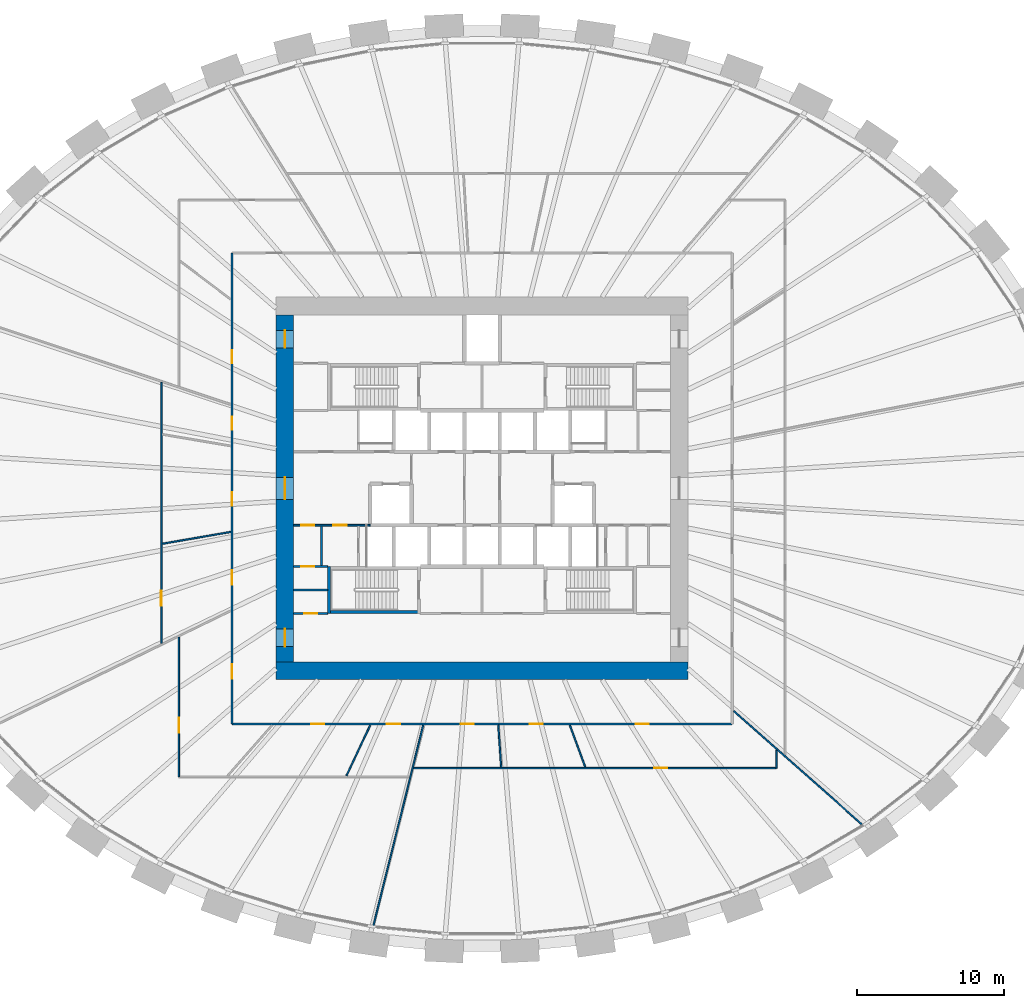
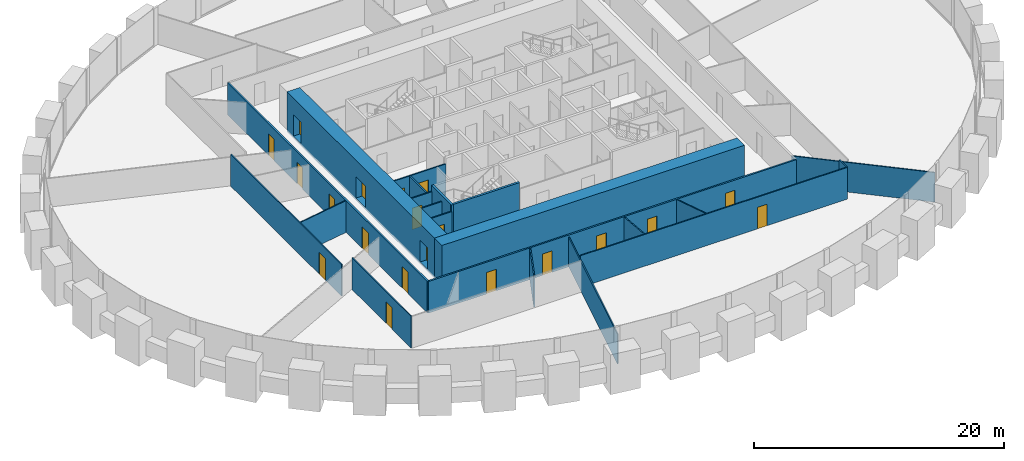
# One storey, part 6 of 11: 21 walls, 20 doors, 20 openings.
"""IFC4 building model written with IfcOpenShell, lengths in metres."""

from ifc_helpers import new_model, si_unit, direction, frame, frame_2d, origin, place, context, subcontext, project, spatial, rectangle, extrude, source, transform, mapped, material, layer, layer_set, type_object, element, fill, save


model = new_model("IFC4")

# Units and contexts
model_context = context("Model", 3, precision=1e-05, world=origin(), true_north=direction((0.0, 1.0)))
body_context = subcontext(model_context, "Body", "Model", "MODEL_VIEW")
ifc_project = project(units=[si_unit("LENGTHUNIT", "METRE"), si_unit("AREAUNIT", "SQUARE_METRE"), si_unit("VOLUMEUNIT", "CUBIC_METRE"), si_unit("PLANEANGLEUNIT", "RADIAN"), si_unit("MASSUNIT", "GRAM", prefix="KILO")], contexts=[model_context])

# Site, building, storey
site_placement = place(None, origin())
site = spatial("IfcSite", under=ifc_project, at=site_placement, CompositionType="ELEMENT")
building_placement = place(site_placement, origin())
building = spatial("IfcBuilding", under=site, at=building_placement, Name="Embergate Tower", CompositionType="ELEMENT")
storey_placement = place(building_placement, frame((0.0, 0.0, 62.0)))
storey = spatial("IfcBuildingStorey", under=building, at=storey_placement, Name="L11", CompositionType="ELEMENT", Elevation=62.0)

# Wall
ifc_material_1 = material(Name="Concrete C80", Category="concrete")
ifc_layer_1 = layer(ifc_material_1, 1.199951171875)
ifc_layer_set_1 = layer_set([ifc_layer_1], Name="Concrete C80")
wall_type_1 = type_object("IfcWallType", Name="Core outer wall C80 1200", PredefinedType="SHEAR", material=ifc_layer_set_1)
shared_shape_1 = source(origin(), body_context, "Body", "SweptSolid", [
    extrude(rectangle(XDim=28.0, YDim=1.199951171875, at=frame_2d((14.0, 0.0))), origin(), (0.0, 0.0, 1.0), 3.89990234375),
])
wall_1_placement = place(storey_placement, frame((-14.0, -12.39990234375, -0.199951171875), z_axis=(0.0, 0.0, 1.0), x_axis=(1.0, 0.0, 0.0)))
element("IfcWall", 1, at=wall_1_placement, inside=storey, type_object=wall_type_1, Name="CW-L11-S", PredefinedType="SHEAR", context=body_context, shape_type="MappedRepresentation", body=[
    mapped(shared_shape_1, transform((0.0, 0.0, 0.0))),
])

# Wall, openings, doors
shared_shape_2 = source(origin(), body_context, "Body", "SweptSolid", [
    extrude(rectangle(XDim=23.60009765625, YDim=1.199951171875, at=frame_2d((11.800048828125, 0.0))), origin(), (0.0, 0.0, 1.0), 3.89990234375),
])
wall_2_placement = place(storey_placement, frame((-13.39990234375, -11.800048828125, -0.199951171875), z_axis=(0.0, 0.0, 1.0), x_axis=(0.0, 1.0, 0.0)))
wall_2 = element("IfcWall", 2, at=wall_2_placement, inside=storey, type_object=wall_type_1, Name="CW-L11-W", PredefinedType="SHEAR", context=body_context, shape_type="MappedRepresentation", body=[
    mapped(shared_shape_2, transform((0.0, 0.0, 0.0))),
])
shared_shape_3 = source(origin(), body_context, "Body", "SweptSolid", [
    extrude(rectangle(XDim=1.199951171875, YDim=2.10009765625, at=frame_2d((0.60009765625, 1.050048828125))), frame((0.0, 0.60986328125, 0.0), z_axis=(0.0, -1.0, 0.0), x_axis=(1.0, 0.0, 0.0)), (0.0, 0.0, 1.0), 1.219970703125),
])
opening_1_placement = place(wall_2_placement, frame((21.35009765625, 0.0, 0.199951171875)))
opening_1 = element("IfcOpeningElement", 3, at=opening_1_placement, cuts=wall_2, Name="Opening IF-1", PredefinedType="OPENING", context=body_context, shape_type="MappedRepresentation", body=[
    mapped(shared_shape_3, transform((0.0, 0.0, 0.0))),
])
opening_2_placement = place(wall_2_placement, frame((1.050048828125, 0.0, 0.199951171875)))
opening_2 = element("IfcOpeningElement", 4, at=opening_2_placement, cuts=wall_2, Name="Opening IF-1", PredefinedType="OPENING", context=body_context, shape_type="MappedRepresentation", body=[
    mapped(shared_shape_3, transform((0.0, 0.0, 0.0))),
])
shared_shape_4 = source(origin(), body_context, "Body", "SweptSolid", [
    extrude(rectangle(XDim=1.5, YDim=2.10009765625, at=frame_2d((0.75, 1.050048828125))), frame((0.0, 0.60986328125, 0.0), z_axis=(0.0, -1.0, 0.0), x_axis=(1.0, 0.0, 0.0)), (0.0, 0.0, 1.0), 1.219970703125),
])
opening_3_placement = place(wall_2_placement, frame((11.050048828125, 0.0, 0.199951171875)))
opening_3 = element("IfcOpeningElement", 5, at=opening_3_placement, cuts=wall_2, Name="Opening IF-3", PredefinedType="OPENING", context=body_context, shape_type="MappedRepresentation", body=[
    mapped(shared_shape_4, transform((0.0, 0.0, 0.0))),
])
ifc_material_2 = material(Name="Escape fire door 1200")
door_type_1 = type_object("IfcDoorType", Name="Escape fire door 1200", OperationType="SINGLE_SWING_LEFT", PredefinedType="DOOR", material=ifc_material_2)
shared_shape_5 = source(origin(), body_context, "Body", "SweptSolid", [
    extrude(rectangle(XDim=1.199951171875, YDim=2.10009765625, at=frame_2d((0.60009765625, 1.050048828125))), frame((0.0, 0.02490234375, 0.0), z_axis=(0.0, -1.0, 0.0), x_axis=(1.0, 0.0, 0.0)), (0.0, 0.0, 1.0), 0.050048828125),
])
door_1_placement = place(opening_1_placement, origin())
door_1 = element("IfcDoor", 6, at=door_1_placement, inside=storey, type_object=door_type_1, Name="IF-1 door", OperationType="SINGLE_SWING_RIGHT", OverallHeight=2.10009765625, OverallWidth=1.199951171875, PredefinedType="DOOR", context=body_context, shape_type="MappedRepresentation", body=[
    mapped(shared_shape_5, transform((0.0, 0.0, 0.0))),
])
fill(opening_1, door_1)
door_2_placement = place(opening_2_placement, origin())
door_2 = element("IfcDoor", 7, at=door_2_placement, inside=storey, type_object=door_type_1, Name="IF-1 door", OperationType="SINGLE_SWING_LEFT", OverallHeight=2.10009765625, OverallWidth=1.199951171875, PredefinedType="DOOR", context=body_context, shape_type="MappedRepresentation", body=[
    mapped(shared_shape_5, transform((0.0, 0.0, 0.0))),
])
fill(opening_2, door_2)
ifc_material_3 = material(Name="Lobby fire door pair 1500")
door_type_2 = type_object("IfcDoorType", Name="Lobby fire door pair 1500", OperationType="DOUBLE_DOOR_SINGLE_SWING", PredefinedType="DOOR", material=ifc_material_3)
shared_shape_6 = source(origin(), body_context, "Body", "SweptSolid", [
    extrude(rectangle(XDim=1.5, YDim=2.10009765625, at=frame_2d((0.75, 1.050048828125))), frame((0.0, 0.02490234375, 0.0), z_axis=(0.0, -1.0, 0.0), x_axis=(1.0, 0.0, 0.0)), (0.0, 0.0, 1.0), 0.050048828125),
])
door_3_placement = place(opening_3_placement, origin())
door_3 = element("IfcDoor", 8, at=door_3_placement, inside=storey, type_object=door_type_2, Name="IF-3 door", OperationType="DOUBLE_DOOR_SINGLE_SWING", OverallHeight=2.10009765625, OverallWidth=1.5, PredefinedType="DOOR", context=body_context, shape_type="MappedRepresentation", body=[
    mapped(shared_shape_6, transform((0.0, 0.0, 0.0))),
])
fill(opening_3, door_3)

# Wall
ifc_material_4 = material(Name="Concrete C50", Category="concrete")
ifc_layer_2 = layer(ifc_material_4, 0.199951171875)
ifc_layer_set_2 = layer_set([ifc_layer_2], Name="Concrete C50")
wall_type_2 = type_object("IfcWallType", Name="Stair enclosure wall reinforced concrete 250", PredefinedType="SHEAR", material=ifc_layer_set_2)
shared_shape_7 = source(origin(), body_context, "Body", "SweptSolid", [
    extrude(rectangle(XDim=6.300048828125, YDim=0.199951171875, at=frame_2d((3.14990234375, 0.0))), origin(), (0.0, 0.0, 1.0), 3.699951171875),
])
wall_3_placement = place(storey_placement, frame((-10.5, -8.39990234375, 0.0), z_axis=(0.0, 0.0, 1.0), x_axis=(1.0, 0.0, 0.0)))
element("IfcWall", 9, at=wall_3_placement, inside=storey, type_object=wall_type_2, Name="SE-1 wall", PredefinedType="SHEAR", context=body_context, shape_type="MappedRepresentation", body=[
    mapped(shared_shape_7, transform((0.0, 0.0, 0.0))),
])

# Wall, openings, doors
ifc_material_5 = material(Name="Core partition blockwork 120")
ifc_layer_3 = layer(ifc_material_5, 0.1201171875)
ifc_layer_set_3 = layer_set([ifc_layer_3], Name="Core partition blockwork 120")
wall_type_3 = type_object("IfcWallType", Name="Core partition blockwork 120", PredefinedType="PARTITIONING", material=ifc_layer_set_3)
shared_shape_8 = source(origin(), body_context, "Body", "SweptSolid", [
    extrude(rectangle(XDim=5.199951171875, YDim=0.1201171875, at=frame_2d((2.60009765625, 0.0))), origin(), (0.0, 0.0, 1.0), 3.10009765625),
])
wall_4_placement = place(storey_placement, frame((-7.60009765625, -2.5, 0.0), z_axis=(0.0, 0.0, 1.0), x_axis=(-1.0, 0.0, 0.0)))
wall_4 = element("IfcWall", 10, at=wall_4_placement, inside=storey, type_object=wall_type_3, Name="IP-3 wall", PredefinedType="PARTITIONING", context=body_context, shape_type="MappedRepresentation", body=[
    mapped(shared_shape_8, transform((0.0, 0.0, 0.0))),
])
shared_shape_9 = source(origin(), body_context, "Body", "SweptSolid", [
    extrude(rectangle(XDim=0.89990234375, YDim=2.10009765625, at=frame_2d((0.449951171875, 1.050048828125))), frame((0.0, 0.070068359375, 0.0), z_axis=(0.0, -1.0, 0.0), x_axis=(1.0, 0.0, 0.0)), (0.0, 0.0, 1.0), 0.14013671875),
])
opening_4_placement = place(wall_4_placement, frame((3.803955078125, 0.0, 0.0)))
opening_4 = element("IfcOpeningElement", 11, at=opening_4_placement, cuts=wall_4, Name="Opening ID-1", PredefinedType="OPENING", context=body_context, shape_type="MappedRepresentation", body=[
    mapped(shared_shape_9, transform((0.0, 0.0, 0.0))),
])
opening_5_placement = place(wall_4_placement, frame((1.60400390625, 0.0, 0.0)))
opening_5 = element("IfcOpeningElement", 12, at=opening_5_placement, cuts=wall_4, Name="Opening ID-1", PredefinedType="OPENING", context=body_context, shape_type="MappedRepresentation", body=[
    mapped(shared_shape_9, transform((0.0, 0.0, 0.0))),
])
ifc_material_6 = material(Name="Interior door 900")
door_type_3 = type_object("IfcDoorType", Name="Interior door 900", OperationType="SINGLE_SWING_LEFT", PredefinedType="DOOR", material=ifc_material_6)
shared_shape_10 = source(origin(), body_context, "Body", "SweptSolid", [
    extrude(rectangle(XDim=0.89990234375, YDim=2.10009765625, at=frame_2d((0.449951171875, 1.050048828125))), frame((0.0, 0.02490234375, 0.0), z_axis=(0.0, -1.0, 0.0), x_axis=(1.0, 0.0, 0.0)), (0.0, 0.0, 1.0), 0.050048828125),
])
door_4_placement = place(opening_4_placement, origin())
door_4 = element("IfcDoor", 13, at=door_4_placement, inside=storey, type_object=door_type_3, Name="ID-1 door", OperationType="SINGLE_SWING_RIGHT", OverallHeight=2.10009765625, OverallWidth=0.89990234375, PredefinedType="DOOR", context=body_context, shape_type="MappedRepresentation", body=[
    mapped(shared_shape_10, transform((0.0, 0.0, 0.0))),
])
fill(opening_4, door_4)
door_5_placement = place(opening_5_placement, origin())
door_5 = element("IfcDoor", 14, at=door_5_placement, inside=storey, type_object=door_type_3, Name="ID-1 door", OperationType="SINGLE_SWING_LEFT", OverallHeight=2.10009765625, OverallWidth=0.89990234375, PredefinedType="DOOR", context=body_context, shape_type="MappedRepresentation", body=[
    mapped(shared_shape_10, transform((0.0, 0.0, 0.0))),
])
fill(opening_5, door_5)

# Wall
shared_shape_11 = source(origin(), body_context, "Body", "SweptSolid", [
    extrude(rectangle(XDim=3.199951171875, YDim=0.199951171875, at=frame_2d((1.60009765625, 0.0))), origin(), (0.0, 0.0, 1.0), 3.699951171875),
])
wall_5_placement = place(storey_placement, frame((-10.39990234375, -5.300048828125, 0.0), z_axis=(0.0, 0.0, 1.0), x_axis=(0.0, -1.0, 0.0)))
element("IfcWall", 15, at=wall_5_placement, inside=storey, type_object=wall_type_2, Name="SE-1 wall", PredefinedType="SHEAR", context=body_context, shape_type="MappedRepresentation", body=[
    mapped(shared_shape_11, transform((0.0, 0.0, 0.0))),
])

# Wall, opening, door
shared_shape_12 = source(origin(), body_context, "Body", "SweptSolid", [
    extrude(rectangle(XDim=2.300048828125, YDim=0.1201171875, at=frame_2d((1.14990234375, 0.0))), origin(), (0.0, 0.0, 1.0), 3.10009765625),
])
wall_6_placement = place(storey_placement, frame((-10.5, -8.5, 0.0), z_axis=(0.0, 0.0, 1.0), x_axis=(-1.0, 0.0, 0.0)))
wall_6 = element("IfcWall", 16, at=wall_6_placement, inside=storey, type_object=wall_type_3, Name="IP-3 wall", PredefinedType="PARTITIONING", context=body_context, shape_type="MappedRepresentation", body=[
    mapped(shared_shape_12, transform((0.0, 0.0, 0.0))),
])
opening_6_placement = place(wall_6_placement, frame((0.699951171875, 0.0, 0.0)))
opening_6 = element("IfcOpeningElement", 17, at=opening_6_placement, cuts=wall_6, Name="Opening ID-1", PredefinedType="OPENING", context=body_context, shape_type="MappedRepresentation", body=[
    mapped(shared_shape_9, transform((0.0, 0.0, 0.0))),
])
door_6_placement = place(opening_6_placement, origin())
door_6 = element("IfcDoor", 18, at=door_6_placement, inside=storey, type_object=door_type_3, Name="ID-1 door", OperationType="SINGLE_SWING_RIGHT", OverallHeight=2.10009765625, OverallWidth=0.89990234375, PredefinedType="DOOR", context=body_context, shape_type="MappedRepresentation", body=[
    mapped(shared_shape_10, transform((0.0, 0.0, 0.0))),
])
fill(opening_6, door_6)

wall_7_placement = place(storey_placement, frame((-12.800048828125, -5.300048828125, 0.0), z_axis=(0.0, 0.0, 1.0), x_axis=(1.0, 0.0, 0.0)))
wall_7 = element("IfcWall", 19, at=wall_7_placement, inside=storey, type_object=wall_type_3, Name="IP-3 wall", PredefinedType="PARTITIONING", context=body_context, shape_type="MappedRepresentation", body=[
    mapped(shared_shape_12, transform((0.0, 0.0, 0.0))),
])
opening_7_placement = place(wall_7_placement, frame((0.49609375, 0.0, 0.0)))
opening_7 = element("IfcOpeningElement", 20, at=opening_7_placement, cuts=wall_7, Name="Opening ID-1", PredefinedType="OPENING", context=body_context, shape_type="MappedRepresentation", body=[
    mapped(shared_shape_9, transform((0.0, 0.0, 0.0))),
])
door_7_placement = place(opening_7_placement, origin())
door_7 = element("IfcDoor", 21, at=door_7_placement, inside=storey, type_object=door_type_3, Name="ID-1 door", OperationType="SINGLE_SWING_RIGHT", OverallHeight=2.10009765625, OverallWidth=0.89990234375, PredefinedType="DOOR", context=body_context, shape_type="MappedRepresentation", body=[
    mapped(shared_shape_10, transform((0.0, 0.0, 0.0))),
])
fill(opening_7, door_7)

# Walls
wall_8_placement = place(storey_placement, frame((-10.5, -6.89990234375, 0.0), z_axis=(0.0, 0.0, 1.0), x_axis=(-1.0, 0.0, 0.0)))
element("IfcWall", 22, at=wall_8_placement, inside=storey, type_object=wall_type_3, Name="IP-3 wall", PredefinedType="PARTITIONING", context=body_context, shape_type="MappedRepresentation", body=[
    mapped(shared_shape_12, transform((0.0, 0.0, 0.0))),
])
shared_shape_13 = source(origin(), body_context, "Body", "SweptSolid", [
    extrude(rectangle(XDim=2.679931640625, YDim=0.1201171875, at=frame_2d((1.33984375, 0.0))), origin(), (0.0, 0.0, 1.0), 3.10009765625),
])
wall_9_placement = place(storey_placement, frame((-10.907958984375, -5.239990234375, 0.0), z_axis=(0.0, 0.0, 1.0), x_axis=(0.0, 1.0, 0.0)))
element("IfcWall", 23, at=wall_9_placement, inside=storey, type_object=wall_type_3, Name="IP-3 wall", PredefinedType="PARTITIONING", context=body_context, shape_type="MappedRepresentation", body=[
    mapped(shared_shape_13, transform((0.0, 0.0, 0.0))),
])
ifc_material_7 = material(Name="Partition dry-lined 100")
ifc_layer_4 = layer(ifc_material_7, 0.10009765625)
ifc_layer_set_4 = layer_set([ifc_layer_4], Name="Partition dry-lined 100")
wall_type_4 = type_object("IfcWallType", Name="Partition dry-lined 100", PredefinedType="PARTITIONING", material=ifc_layer_set_4)
shared_shape_14 = source(origin(), body_context, "Body", "SweptSolid", [
    extrude(rectangle(XDim=14.09716796875, YDim=0.10009765625, at=frame_2d((7.048583984375, 0.0))), origin(), (0.0, 0.0, 1.0), 2.89990234375),
])
wall_10_placement = place(storey_placement, frame((-7.39697265625, -29.76806640625, 0.0), z_axis=(0.0, 0.0, 1.0), x_axis=(0.241174373268, 0.970481798736, 0.0)))
element("IfcWall", 24, at=wall_10_placement, inside=storey, type_object=wall_type_4, Name="IP-1 wall", PredefinedType="PARTITIONING", context=body_context, shape_type="MappedRepresentation", body=[
    mapped(shared_shape_14, transform((0.0, 0.0, 0.0))),
])
ifc_material_8 = material(Name="Partition dry-lined 100 wet")
ifc_layer_5 = layer(ifc_material_8, 0.10009765625)
ifc_layer_set_5 = layer_set([ifc_layer_5], Name="Partition dry-lined 100 wet")
wall_type_5 = type_object("IfcWallType", Name="Partition dry-lined 100 wet", PredefinedType="PLUMBINGWALL", material=ifc_layer_set_5)
shared_shape_15 = source(origin(), body_context, "Body", "SweptSolid", [
    extrude(rectangle(XDim=11.715576171875, YDim=0.10009765625, at=frame_2d((5.85791015625, 0.0))), origin(), (0.0, 0.0, 1.0), 2.89990234375),
])
wall_11_placement = place(storey_placement, frame((17.10791015625, -15.12890625, 0.0), z_axis=(0.0, 0.0, 1.0), x_axis=(0.749102754404, -0.662453819783, 0.0)))
element("IfcWall", 25, at=wall_11_placement, inside=storey, type_object=wall_type_5, Name="IP-1 wall", PredefinedType="PLUMBINGWALL", context=body_context, shape_type="MappedRepresentation", body=[
    mapped(shared_shape_15, transform((0.0, 0.0, 0.0))),
])

# Wall, openings, doors
ifc_material_9 = material(Name="Corridor wall dry-lined 150")
ifc_layer_6 = layer(ifc_material_9, 0.14990234375)
ifc_layer_set_6 = layer_set([ifc_layer_6], Name="Corridor wall dry-lined 150")
wall_type_6 = type_object("IfcWallType", Name="Corridor wall dry-lined 150", PredefinedType="PARTITIONING", material=ifc_layer_set_6)
shared_shape_16 = source(origin(), body_context, "Body", "SweptSolid", [
    extrude(rectangle(XDim=34.0, YDim=0.14990234375, at=frame_2d((17.0, 0.0))), origin(), (0.0, 0.0, 1.0), 3.10009765625),
])
wall_12_placement = place(storey_placement, frame((17.0, -16.0, 0.0), z_axis=(0.0, 0.0, 1.0), x_axis=(-1.0, 0.0, 0.0)))
wall_12 = element("IfcWall", 26, at=wall_12_placement, inside=storey, type_object=wall_type_6, Name="IP-2 wall", PredefinedType="PARTITIONING", context=body_context, shape_type="MappedRepresentation", body=[
    mapped(shared_shape_16, transform((0.0, 0.0, 0.0))),
])
shared_shape_17 = source(origin(), body_context, "Body", "SweptSolid", [
    extrude(rectangle(XDim=0.89990234375, YDim=2.10009765625, at=frame_2d((0.449951171875, 1.050048828125))), frame((0.0, 0.0849609375, 0.0), z_axis=(0.0, -1.0, 0.0), x_axis=(1.0, 0.0, 0.0)), (0.0, 0.0, 1.0), 0.169921875),
])
opening_8_placement = place(wall_12_placement, frame((27.721923828125, 0.0, 0.0)))
opening_8 = element("IfcOpeningElement", 27, at=opening_8_placement, cuts=wall_12, Name="Opening IF-1c", PredefinedType="OPENING", context=body_context, shape_type="MappedRepresentation", body=[
    mapped(shared_shape_17, transform((0.0, 0.0, 0.0))),
])
opening_9_placement = place(wall_12_placement, frame((22.56494140625, 0.0, 0.0)))
opening_9 = element("IfcOpeningElement", 28, at=opening_9_placement, cuts=wall_12, Name="Opening IF-1c", PredefinedType="OPENING", context=body_context, shape_type="MappedRepresentation", body=[
    mapped(shared_shape_17, transform((0.0, 0.0, 0.0))),
])
opening_10_placement = place(wall_12_placement, frame((17.56103515625, 0.0, 0.0)))
opening_10 = element("IfcOpeningElement", 29, at=opening_10_placement, cuts=wall_12, Name="Opening IF-1c", PredefinedType="OPENING", context=body_context, shape_type="MappedRepresentation", body=[
    mapped(shared_shape_17, transform((0.0, 0.0, 0.0))),
])
opening_11_placement = place(wall_12_placement, frame((12.873046875, 0.0, 0.0)))
opening_11 = element("IfcOpeningElement", 30, at=opening_11_placement, cuts=wall_12, Name="Opening IF-1c", PredefinedType="OPENING", context=body_context, shape_type="MappedRepresentation", body=[
    mapped(shared_shape_17, transform((0.0, 0.0, 0.0))),
])
opening_12_placement = place(wall_12_placement, frame((5.662109375, 0.0, 0.0)))
opening_12 = element("IfcOpeningElement", 31, at=opening_12_placement, cuts=wall_12, Name="Opening IF-1c", PredefinedType="OPENING", context=body_context, shape_type="MappedRepresentation", body=[
    mapped(shared_shape_17, transform((0.0, 0.0, 0.0))),
])
ifc_material_10 = material(Name="Escape fire door 900")
door_type_4 = type_object("IfcDoorType", Name="Escape fire door 900", OperationType="SINGLE_SWING_LEFT", PredefinedType="DOOR", material=ifc_material_10)
door_8_placement = place(opening_8_placement, origin())
door_8 = element("IfcDoor", 32, at=door_8_placement, inside=storey, type_object=door_type_4, Name="IF-1 door", OperationType="SINGLE_SWING_LEFT", OverallHeight=2.10009765625, OverallWidth=0.89990234375, PredefinedType="DOOR", context=body_context, shape_type="MappedRepresentation", body=[
    mapped(shared_shape_10, transform((0.0, 0.0, 0.0))),
])
fill(opening_8, door_8)
door_9_placement = place(opening_9_placement, origin())
door_9 = element("IfcDoor", 33, at=door_9_placement, inside=storey, type_object=door_type_4, Name="IF-1 door", OperationType="SINGLE_SWING_RIGHT", OverallHeight=2.10009765625, OverallWidth=0.89990234375, PredefinedType="DOOR", context=body_context, shape_type="MappedRepresentation", body=[
    mapped(shared_shape_10, transform((0.0, 0.0, 0.0))),
])
fill(opening_9, door_9)
door_10_placement = place(opening_10_placement, origin())
door_10 = element("IfcDoor", 34, at=door_10_placement, inside=storey, type_object=door_type_4, Name="IF-1 door", OperationType="SINGLE_SWING_LEFT", OverallHeight=2.10009765625, OverallWidth=0.89990234375, PredefinedType="DOOR", context=body_context, shape_type="MappedRepresentation", body=[
    mapped(shared_shape_10, transform((0.0, 0.0, 0.0))),
])
fill(opening_10, door_10)
door_11_placement = place(opening_11_placement, origin())
door_11 = element("IfcDoor", 35, at=door_11_placement, inside=storey, type_object=door_type_4, Name="IF-1 door", OperationType="SINGLE_SWING_LEFT", OverallHeight=2.10009765625, OverallWidth=0.89990234375, PredefinedType="DOOR", context=body_context, shape_type="MappedRepresentation", body=[
    mapped(shared_shape_10, transform((0.0, 0.0, 0.0))),
])
fill(opening_11, door_11)
door_12_placement = place(opening_12_placement, origin())
door_12 = element("IfcDoor", 36, at=door_12_placement, inside=storey, type_object=door_type_4, Name="IF-1 door", OperationType="SINGLE_SWING_LEFT", OverallHeight=2.10009765625, OverallWidth=0.89990234375, PredefinedType="DOOR", context=body_context, shape_type="MappedRepresentation", body=[
    mapped(shared_shape_10, transform((0.0, 0.0, 0.0))),
])
fill(opening_12, door_12)

shared_shape_18 = source(origin(), body_context, "Body", "SweptSolid", [
    extrude(rectangle(XDim=32.0, YDim=0.14990234375, at=frame_2d((16.0, 0.0))), origin(), (0.0, 0.0, 1.0), 3.10009765625),
])
wall_13_placement = place(storey_placement, frame((-17.0, -16.0, 0.0), z_axis=(0.0, 0.0, 1.0), x_axis=(0.0, 1.0, 0.0)))
wall_13 = element("IfcWall", 37, at=wall_13_placement, inside=storey, type_object=wall_type_6, Name="IP-2 wall", PredefinedType="PARTITIONING", context=body_context, shape_type="MappedRepresentation", body=[
    mapped(shared_shape_18, transform((0.0, 0.0, 0.0))),
])
shared_shape_19 = source(origin(), body_context, "Body", "SweptSolid", [
    extrude(rectangle(XDim=1.0, YDim=2.10009765625, at=frame_2d((0.5, 1.050048828125))), frame((0.0, 0.0849609375, 0.0), z_axis=(0.0, -1.0, 0.0), x_axis=(1.0, 0.0, 0.0)), (0.0, 0.0, 1.0), 0.169921875),
])
opening_13_placement = place(wall_13_placement, frame((3.054931640625, 0.0, 0.0)))
opening_13 = element("IfcOpeningElement", 38, at=opening_13_placement, cuts=wall_13, Name="Opening ID-2", PredefinedType="OPENING", context=body_context, shape_type="MappedRepresentation", body=[
    mapped(shared_shape_19, transform((0.0, 0.0, 0.0))),
])
opening_14_placement = place(wall_13_placement, frame((24.5048828125, 0.0, 0.0)))
opening_14 = element("IfcOpeningElement", 39, at=opening_14_placement, cuts=wall_13, Name="Opening IF-1c", PredefinedType="OPENING", context=body_context, shape_type="MappedRepresentation", body=[
    mapped(shared_shape_17, transform((0.0, 0.0, 0.0))),
])
opening_15_placement = place(wall_13_placement, frame((19.98291015625, 0.0, 0.0)))
opening_15 = element("IfcOpeningElement", 40, at=opening_15_placement, cuts=wall_13, Name="Opening IF-1c", PredefinedType="OPENING", context=body_context, shape_type="MappedRepresentation", body=[
    mapped(shared_shape_17, transform((0.0, 0.0, 0.0))),
])
opening_16_placement = place(wall_13_placement, frame((14.826904296875, 0.0, 0.0)))
opening_16 = element("IfcOpeningElement", 41, at=opening_16_placement, cuts=wall_13, Name="Opening IF-1c", PredefinedType="OPENING", context=body_context, shape_type="MappedRepresentation", body=[
    mapped(shared_shape_17, transform((0.0, 0.0, 0.0))),
])
opening_17_placement = place(wall_13_placement, frame((9.443115234375, 0.0, 0.0)))
opening_17 = element("IfcOpeningElement", 42, at=opening_17_placement, cuts=wall_13, Name="Opening ID-2", PredefinedType="OPENING", context=body_context, shape_type="MappedRepresentation", body=[
    mapped(shared_shape_19, transform((0.0, 0.0, 0.0))),
])
door_13_placement = place(opening_14_placement, origin())
door_13 = element("IfcDoor", 43, at=door_13_placement, inside=storey, type_object=door_type_4, Name="IF-1 door", OperationType="SINGLE_SWING_LEFT", OverallHeight=2.10009765625, OverallWidth=0.89990234375, PredefinedType="DOOR", context=body_context, shape_type="MappedRepresentation", body=[
    mapped(shared_shape_10, transform((0.0, 0.0, 0.0))),
])
fill(opening_14, door_13)
door_14_placement = place(opening_15_placement, origin())
door_14 = element("IfcDoor", 44, at=door_14_placement, inside=storey, type_object=door_type_4, Name="IF-1 door", OperationType="SINGLE_SWING_RIGHT", OverallHeight=2.10009765625, OverallWidth=0.89990234375, PredefinedType="DOOR", context=body_context, shape_type="MappedRepresentation", body=[
    mapped(shared_shape_10, transform((0.0, 0.0, 0.0))),
])
fill(opening_15, door_14)
door_15_placement = place(opening_16_placement, origin())
door_15 = element("IfcDoor", 45, at=door_15_placement, inside=storey, type_object=door_type_4, Name="IF-1 door", OperationType="SINGLE_SWING_RIGHT", OverallHeight=2.10009765625, OverallWidth=0.89990234375, PredefinedType="DOOR", context=body_context, shape_type="MappedRepresentation", body=[
    mapped(shared_shape_10, transform((0.0, 0.0, 0.0))),
])
fill(opening_16, door_15)
ifc_material_11 = material(Name="Interior door 1000")
door_type_5 = type_object("IfcDoorType", Name="Interior door 1000", OperationType="SINGLE_SWING_LEFT", PredefinedType="DOOR", material=ifc_material_11)
shared_shape_20 = source(origin(), body_context, "Body", "SweptSolid", [
    extrude(rectangle(XDim=1.0, YDim=2.10009765625, at=frame_2d((0.5, 1.050048828125))), frame((0.0, 0.02490234375, 0.0), z_axis=(0.0, -1.0, 0.0), x_axis=(1.0, 0.0, 0.0)), (0.0, 0.0, 1.0), 0.050048828125),
])
door_16_placement = place(opening_13_placement, origin())
door_16 = element("IfcDoor", 46, at=door_16_placement, inside=storey, type_object=door_type_5, Name="ID-2 door", OperationType="SINGLE_SWING_LEFT", OverallHeight=2.10009765625, OverallWidth=1.0, PredefinedType="DOOR", context=body_context, shape_type="MappedRepresentation", body=[
    mapped(shared_shape_20, transform((0.0, 0.0, 0.0))),
])
fill(opening_13, door_16)
door_17_placement = place(opening_17_placement, origin())
door_17 = element("IfcDoor", 47, at=door_17_placement, inside=storey, type_object=door_type_5, Name="ID-2 door", OperationType="SINGLE_SWING_LEFT", OverallHeight=2.10009765625, OverallWidth=1.0, PredefinedType="DOOR", context=body_context, shape_type="MappedRepresentation", body=[
    mapped(shared_shape_20, transform((0.0, 0.0, 0.0))),
])
fill(opening_17, door_17)

# Wall, opening, door
shared_shape_21 = source(origin(), body_context, "Body", "SweptSolid", [
    extrude(rectangle(XDim=9.4912109375, YDim=0.10009765625, at=frame_2d((4.74560546875, 0.0))), origin(), (0.0, 0.0, 1.0), 3.10009765625),
])
wall_14_placement = place(storey_placement, frame((-20.60009765625, -19.60009765625, 0.0), z_axis=(0.0, 0.0, 1.0), x_axis=(0.0, 1.0, 0.0)))
wall_14 = element("IfcWall", 48, at=wall_14_placement, inside=storey, type_object=wall_type_4, Name="IP-1 wall", PredefinedType="PARTITIONING", context=body_context, shape_type="MappedRepresentation", body=[
    mapped(shared_shape_21, transform((0.0, 0.0, 0.0))),
])
shared_shape_22 = source(origin(), body_context, "Body", "SweptSolid", [
    extrude(rectangle(XDim=1.0, YDim=2.10009765625, at=frame_2d((0.5, 1.050048828125))), frame((0.0, 0.06005859375, 0.0), z_axis=(0.0, -1.0, 0.0), x_axis=(1.0, 0.0, 0.0)), (0.0, 0.0, 1.0), 0.1201171875),
])
opening_18_placement = place(wall_14_placement, frame((3.010009765625, 0.0, 0.0)))
opening_18 = element("IfcOpeningElement", 49, at=opening_18_placement, cuts=wall_14, Name="Opening ID-2", PredefinedType="OPENING", context=body_context, shape_type="MappedRepresentation", body=[
    mapped(shared_shape_22, transform((0.0, 0.0, 0.0))),
])
door_18_placement = place(opening_18_placement, origin())
door_18 = element("IfcDoor", 50, at=door_18_placement, inside=storey, type_object=door_type_5, Name="ID-2 door", OperationType="SINGLE_SWING_RIGHT", OverallHeight=2.10009765625, OverallWidth=1.0, PredefinedType="DOOR", context=body_context, shape_type="MappedRepresentation", body=[
    mapped(shared_shape_20, transform((0.0, 0.0, 0.0))),
])
fill(opening_18, door_18)

# Walls
shared_shape_23 = source(origin(), body_context, "Body", "SweptSolid", [
    extrude(rectangle(XDim=3.79638671875, YDim=0.10009765625, at=frame_2d((1.898193359375, 0.0))), origin(), (0.0, 0.0, 1.0), 3.10009765625),
])
wall_15_placement = place(storey_placement, frame((-7.60107421875, -16.095947265625, 0.0), z_axis=(0.0, 0.0, 1.0), x_axis=(-0.426933274137, -0.904283130128, 0.0)))
element("IfcWall", 51, at=wall_15_placement, inside=storey, type_object=wall_type_4, Name="IP-1 wall", PredefinedType="PARTITIONING", context=body_context, shape_type="MappedRepresentation", body=[
    mapped(shared_shape_23, transform((0.0, 0.0, 0.0))),
])
shared_shape_24 = source(origin(), body_context, "Body", "SweptSolid", [
    extrude(rectangle(XDim=2.8818359375, YDim=0.10009765625, at=frame_2d((1.44091796875, 0.0))), origin(), (0.0, 0.0, 1.0), 3.10009765625),
])
wall_16_placement = place(storey_placement, frame((1.10107421875, -16.074951171875, 0.0), z_axis=(0.0, 0.0, 1.0), x_axis=(0.068368861267, -0.997660111866, 0.0)))
element("IfcWall", 52, at=wall_16_placement, inside=storey, type_object=wall_type_5, Name="IP-1 wall", PredefinedType="PLUMBINGWALL", context=body_context, shape_type="MappedRepresentation", body=[
    mapped(shared_shape_24, transform((0.0, 0.0, 0.0))),
])

# Wall, opening, door
shared_shape_25 = source(origin(), body_context, "Body", "SweptSolid", [
    extrude(rectangle(XDim=24.656982421875, YDim=0.10009765625, at=frame_2d((12.32861328125, 0.0))), origin(), (0.0, 0.0, 1.0), 3.10009765625),
])
wall_17_placement = place(storey_placement, frame((-4.656982421875, -19.0, 0.0), z_axis=(0.0, 0.0, 1.0), x_axis=(1.0, 0.0, 0.0)))
wall_17 = element("IfcWall", 53, at=wall_17_placement, inside=storey, type_object=wall_type_5, Name="IP-1 wall", PredefinedType="PLUMBINGWALL", context=body_context, shape_type="MappedRepresentation", body=[
    mapped(shared_shape_25, transform((0.0, 0.0, 0.0))),
])
shared_shape_26 = source(origin(), body_context, "Body", "SweptSolid", [
    extrude(rectangle(XDim=0.89990234375, YDim=2.10009765625, at=frame_2d((0.449951171875, 1.050048828125))), frame((0.0, 0.06005859375, 0.0), z_axis=(0.0, -1.0, 0.0), x_axis=(1.0, 0.0, 0.0)), (0.0, 0.0, 1.0), 0.1201171875),
])
opening_19_placement = place(wall_17_placement, frame((16.34912109375, 0.0, 0.0)))
opening_19 = element("IfcOpeningElement", 54, at=opening_19_placement, cuts=wall_17, Name="Opening ID-1", PredefinedType="OPENING", context=body_context, shape_type="MappedRepresentation", body=[
    mapped(shared_shape_26, transform((0.0, 0.0, 0.0))),
])
door_19_placement = place(opening_19_placement, origin())
door_19 = element("IfcDoor", 55, at=door_19_placement, inside=storey, type_object=door_type_3, Name="ID-1 door", OperationType="SINGLE_SWING_LEFT", OverallHeight=2.10009765625, OverallWidth=0.89990234375, PredefinedType="DOOR", context=body_context, shape_type="MappedRepresentation", body=[
    mapped(shared_shape_10, transform((0.0, 0.0, 0.0))),
])
fill(opening_19, door_19)

# Walls
shared_shape_27 = source(origin(), body_context, "Body", "SweptSolid", [
    extrude(rectangle(XDim=3.029541015625, YDim=0.10009765625, at=frame_2d((1.5146484375, 0.0))), origin(), (0.0, 0.0, 1.0), 3.10009765625),
])
wall_18_placement = place(storey_placement, frame((5.958984375, -16.092041015625, 0.0), z_axis=(0.0, 0.0, 1.0), x_axis=(0.347243490024, -0.937775004271, 0.0)))
element("IfcWall", 56, at=wall_18_placement, inside=storey, type_object=wall_type_5, Name="IP-1 wall", PredefinedType="PLUMBINGWALL", context=body_context, shape_type="MappedRepresentation", body=[
    mapped(shared_shape_27, transform((0.0, 0.0, 0.0))),
])
shared_shape_28 = source(origin(), body_context, "Body", "SweptSolid", [
    extrude(rectangle(XDim=1.202880859375, YDim=0.10009765625, at=frame_2d((0.6015625, 0.0))), origin(), (0.0, 0.0, 1.0), 3.10009765625),
])
wall_19_placement = place(storey_placement, frame((20.0, -17.797119140625, 0.0), z_axis=(0.0, 0.0, 1.0), x_axis=(0.0, -1.0, 0.0)))
element("IfcWall", 57, at=wall_19_placement, inside=storey, type_object=wall_type_5, Name="IP-1 wall", PredefinedType="PLUMBINGWALL", context=body_context, shape_type="MappedRepresentation", body=[
    mapped(shared_shape_28, transform((0.0, 0.0, 0.0))),
])

# Wall, opening, door
shared_shape_29 = source(origin(), body_context, "Body", "SweptSolid", [
    extrude(rectangle(XDim=17.743896484375, YDim=0.10009765625, at=frame_2d((8.8720703125, 0.0))), origin(), (0.0, 0.0, 1.0), 3.10009765625),
])
wall_20_placement = place(storey_placement, frame((-21.800048828125, -10.533935546875, 0.0), z_axis=(0.0, 0.0, 1.0), x_axis=(0.0, 1.0, 0.0)))
wall_20 = element("IfcWall", 58, at=wall_20_placement, inside=storey, type_object=wall_type_4, Name="IP-1 wall", PredefinedType="PARTITIONING", context=body_context, shape_type="MappedRepresentation", body=[
    mapped(shared_shape_29, transform((0.0, 0.0, 0.0))),
])
opening_20_placement = place(wall_20_placement, frame((2.57861328125, 0.0, 0.0)))
opening_20 = element("IfcOpeningElement", 59, at=opening_20_placement, cuts=wall_20, Name="Opening ID-2", PredefinedType="OPENING", context=body_context, shape_type="MappedRepresentation", body=[
    mapped(shared_shape_22, transform((0.0, 0.0, 0.0))),
])
door_20_placement = place(opening_20_placement, origin())
door_20 = element("IfcDoor", 60, at=door_20_placement, inside=storey, type_object=door_type_5, Name="ID-2 door", OperationType="SINGLE_SWING_LEFT", OverallHeight=2.10009765625, OverallWidth=1.0, PredefinedType="DOOR", context=body_context, shape_type="MappedRepresentation", body=[
    mapped(shared_shape_20, transform((0.0, 0.0, 0.0))),
])
fill(opening_20, door_20)

# Wall
shared_shape_30 = source(origin(), body_context, "Body", "SweptSolid", [
    extrude(rectangle(XDim=4.726318359375, YDim=0.10009765625, at=frame_2d((2.36328125, 0.0))), origin(), (0.0, 0.0, 1.0), 3.10009765625),
])
wall_21_placement = place(storey_placement, frame((-17.083984375, -2.9560546875, 0.0), z_axis=(0.0, 0.0, 1.0), x_axis=(-0.985354345091, -0.170519249968, 0.0)))
element("IfcWall", 61, at=wall_21_placement, inside=storey, type_object=wall_type_4, Name="IP-1 wall", PredefinedType="PARTITIONING", context=body_context, shape_type="MappedRepresentation", body=[
    mapped(shared_shape_30, transform((0.0, 0.0, 0.0))),
])

save(model, "model.ifc")
